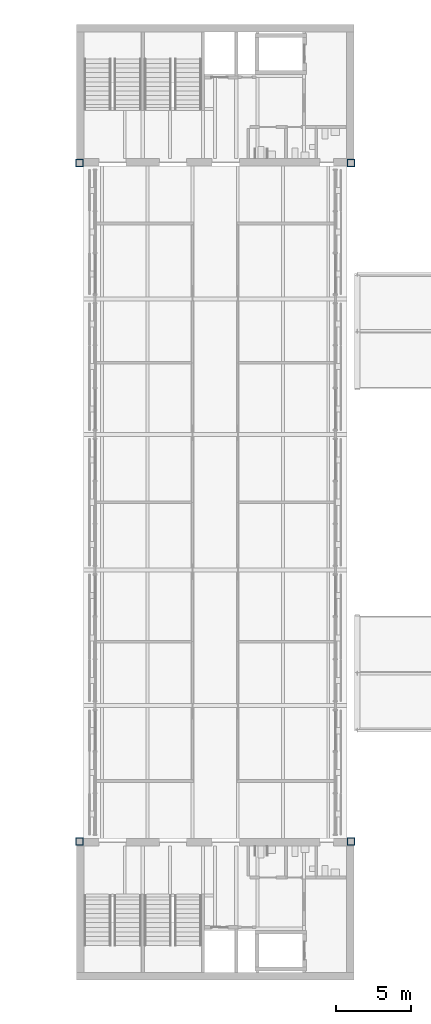
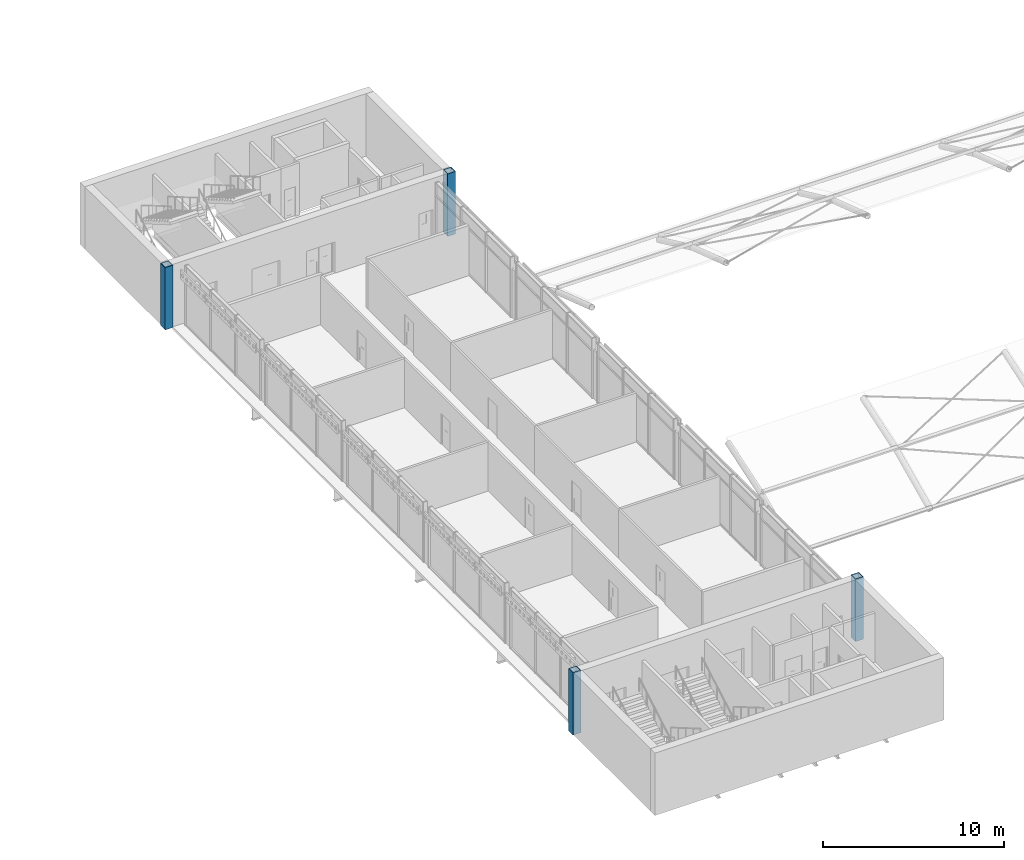
# One storey, part 1 of 54: 4 columns.
"""IFC4 building model written with IfcOpenShell, lengths in metres."""

from ifc_helpers import new_model, si_unit, direction, frame, origin, origin_2d, place, context, subcontext, project, spatial, hollow_rectangle, extrude, material, material_profile, profile_set, type_object, element, save


model = new_model("IFC4")

# Units and contexts
model_context = context("Model", 3, precision=1e-05, world=origin(), true_north=direction((0.0, 1.0)))
body_context = subcontext(model_context, "Body", "Model", "MODEL_VIEW")
ifc_project = project(units=[si_unit("LENGTHUNIT", "METRE"), si_unit("AREAUNIT", "SQUARE_METRE"), si_unit("VOLUMEUNIT", "CUBIC_METRE"), si_unit("PLANEANGLEUNIT", "RADIAN"), si_unit("MASSUNIT", "GRAM", prefix="KILO")], contexts=[model_context])

# Site, building, storey
site_placement = place(None, origin())
site = spatial("IfcSite", under=ifc_project, at=site_placement, CompositionType="ELEMENT")
building_placement = place(site_placement, origin())
building = spatial("IfcBuilding", under=site, at=building_placement, Name="Baradari Gate Terminus", CompositionType="ELEMENT")
storey_placement = place(building_placement, frame((0.0, 0.0, 15.89990234375)))
storey = spatial("IfcBuildingStorey", under=building, at=storey_placement, Name="L03", CompositionType="ELEMENT", Elevation=15.89990234375)

# Columns
ifc_material = material(Name="Steel S355", Category="steel")
ifc_material_profile = material_profile(ifc_material, hollow_rectangle(XDim=0.5, YDim=0.5, WallThickness=0.031982421875, at=origin_2d()), Name="FB 500x500x32")
ifc_profile_set = profile_set([ifc_material_profile], Name="Steel S355")
column_type = type_object("IfcColumnType", Name="Abutment end post C06 FB 500x500x32", PredefinedType="COLUMN", material=ifc_profile_set)
for number, where, z_axis, x_axis, name in (
    (1, (72.0, 36.0, 0.0), (0.0, 0.0, 1.0), (1.0, 0.0, 0.0), "C06 column 9-E L03"),
    (2, (72.0, 81.0, 0.0), (0.0, 0.0, 1.0), (1.0, 0.0, 0.0), "C06 column 9-K L03"),
    (3, (90.0, 36.0, 0.0), (0.0, 0.0, 1.0), (1.0, 0.0, 0.0), "C06 column 11-E L03"),
    (4, (90.0, 81.0, 0.0), (0.0, 0.0, 1.0), (1.0, 0.0, 0.0), "C06 column 11-K L03"),
):
    element("IfcColumn", number, at=place(storey_placement, frame(where, z_axis=z_axis, x_axis=x_axis)), inside=storey, type_object=column_type, Name=name, PredefinedType="COLUMN", context=body_context, shape_type="SweptSolid", body=[
        extrude(hollow_rectangle(XDim=0.5, YDim=0.5, WallThickness=0.031982421875, at=origin_2d()), origin(), (0.0, 0.0, 1.0), 4.2001953125),
    ])

save(model, "model.ifc")
